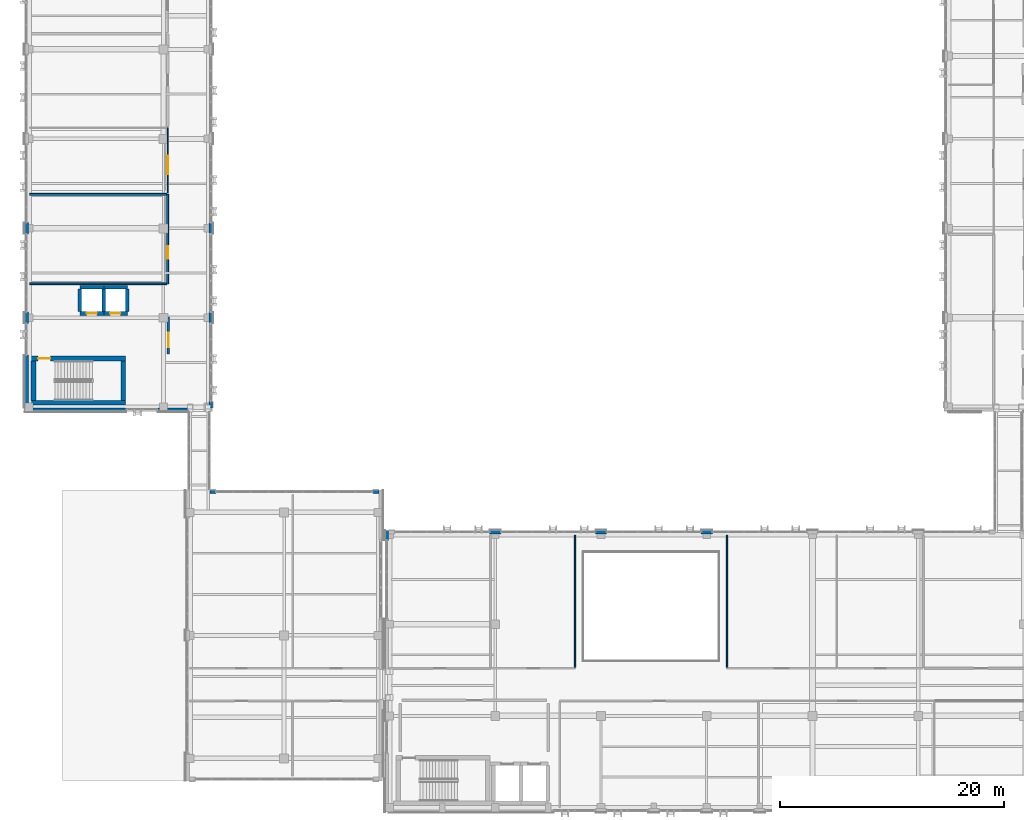
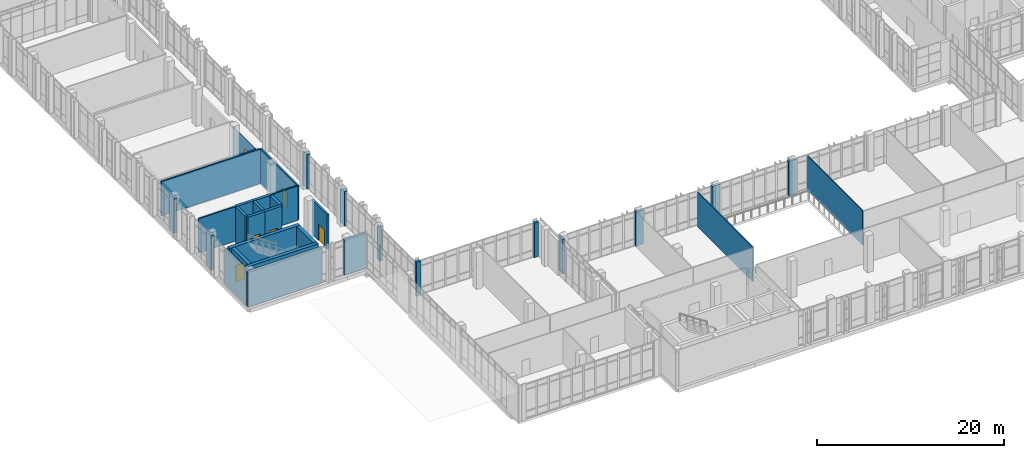
# One storey, part 152 of 189: 32 walls, 6 doors, 6 openings.
"""IFC4 building model written with IfcOpenShell, lengths in metres."""

from ifc_helpers import new_model, si_unit, direction, frame, frame_2d, origin, place, context, subcontext, project, spatial, rectangle, extrude, material, layer, layer_set, type_object, element, fill, save


model = new_model("IFC4")

# Units and contexts
model_context = context("Model", 3, precision=1e-05, world=origin(), true_north=direction((0.0, 1.0)))
body_context = subcontext(model_context, "Body", "Model", "MODEL_VIEW")
ifc_project = project(units=[si_unit("LENGTHUNIT", "METRE"), si_unit("AREAUNIT", "SQUARE_METRE"), si_unit("VOLUMEUNIT", "CUBIC_METRE"), si_unit("PLANEANGLEUNIT", "RADIAN"), si_unit("MASSUNIT", "GRAM", prefix="KILO")], contexts=[model_context])

# Site, building, storey
site_placement = place(None, origin())
site = spatial("IfcSite", under=ifc_project, at=site_placement, CompositionType="ELEMENT")
building_placement = place(site_placement, origin())
building = spatial("IfcBuilding", under=site, at=building_placement, Name="Qalavern Law Courts", CompositionType="ELEMENT")
storey_placement = place(building_placement, frame((0.0, 0.0, 5.39990234375)))
storey = spatial("IfcBuildingStorey", under=building, at=storey_placement, Name="L01", CompositionType="ELEMENT", Elevation=5.39990234375)

# Walls
ifc_material_1 = material(Name="Concrete C40/50", Category="concrete")
ifc_layer_1 = layer(ifc_material_1, 0.324951171875)
ifc_layer_set_1 = layer_set([ifc_layer_1], Name="Concrete C40/50")
wall_type_1 = type_object("IfcWallType", Name="ENV-EW-325", PredefinedType="SOLIDWALL", material=ifc_layer_set_1)
for number, where, z_axis, x_axis, name in (
    (1, (33.679931640625, 33.83740234375, 0.0), (0.0, 0.0, 1.0), (-1.0, 0.0, 0.0), "V1 exterior pier wall L01 north 1"),
    (2, (19.10009765625, 33.83740234375, 0.0), (0.0, 0.0, 1.0), (-1.0, 0.0, 0.0), "V1 exterior pier wall L01 north 2"),
):
    element("IfcWall", number, at=place(storey_placement, frame(where, z_axis=z_axis, x_axis=x_axis)), inside=storey, type_object=wall_type_1, Name=name, PredefinedType="SOLIDWALL", context=body_context, shape_type="SweptSolid", body=[
        extrude(rectangle(XDim=0.550048828125, YDim=0.324951171875, at=frame_2d((0.27490234375, 0.0))), origin(), (0.0, 0.0, 1.0), 4.510009765625),
    ])
for number, where, z_axis, x_axis, name in (
    (3, (63.48291015625, 30.237548828125, 0.0), (0.0, 0.0, 1.0), (-1.0, 0.0, 0.0), "V2 exterior pier wall L01 north 4"),
    (4, (54.028564453125, 30.237548828125, 0.0), (0.0, 0.0, 1.0), (-1.0, 0.0, 0.0), "V2 exterior pier wall L01 north 5"),
    (5, (44.57421875, 30.237548828125, 0.0), (0.0, 0.0, 1.0), (-1.0, 0.0, 0.0), "V2 exterior pier wall L01 north 6"),
):
    element("IfcWall", number, at=place(storey_placement, frame(where, z_axis=z_axis, x_axis=x_axis)), inside=storey, type_object=wall_type_1, Name=name, PredefinedType="SOLIDWALL", context=body_context, shape_type="SweptSolid", body=[
        extrude(rectangle(XDim=1.0, YDim=0.324951171875, at=frame_2d((0.5, 0.0))), origin(), (0.0, 0.0, 1.0), 4.510009765625),
    ])
wall_1_placement = place(storey_placement, frame((34.382568359375, 30.39990234375, 0.0), z_axis=(0.0, 0.0, 1.0), x_axis=(0.0, -1.0, 0.0)))
element("IfcWall", 6, at=wall_1_placement, inside=storey, type_object=wall_type_1, Name="V2 exterior pier wall L01 west 1", PredefinedType="SOLIDWALL", context=body_context, shape_type="SweptSolid", body=[
    extrude(rectangle(XDim=0.89990234375, YDim=0.324951171875, at=frame_2d((0.449951171875, 0.0))), origin(), (0.0, 0.0, 1.0), 4.510009765625),
])
wall_2_placement = place(storey_placement, frame((2.0, 41.1826171875, 0.0), z_axis=(0.0, 0.0, 1.0), x_axis=(1.0, 0.0, 0.0)))
element("IfcWall", 7, at=wall_2_placement, inside=storey, type_object=wall_type_1, Name="V3 exterior pier wall L01 south 1", PredefinedType="SOLIDWALL", context=body_context, shape_type="SweptSolid", body=[
    extrude(rectangle(XDim=9.10009765625, YDim=0.324951171875, at=frame_2d((4.550048828125, 0.0))), origin(), (0.0, 0.0, 1.0), 4.510009765625),
])
wall_3_placement = place(storey_placement, frame((13.89990234375, 41.1826171875, 0.0), z_axis=(0.0, 0.0, 1.0), x_axis=(1.0, 0.0, 0.0)))
element("IfcWall", 8, at=wall_3_placement, inside=storey, type_object=wall_type_1, Name="V3 exterior pier wall L01 south 2", PredefinedType="SOLIDWALL", context=body_context, shape_type="SweptSolid", body=[
    extrude(rectangle(XDim=2.75, YDim=0.324951171875, at=frame_2d((1.375, 0.0))), origin(), (0.0, 0.0, 1.0), 4.510009765625),
])
wall_4_placement = place(storey_placement, frame((18.637451171875, 41.340087890625, 0.0), z_axis=(0.0, 0.0, 1.0), x_axis=(0.0, 1.0, 0.0)))
element("IfcWall", 9, at=wall_4_placement, inside=storey, type_object=wall_type_1, Name="V3 exterior pier wall L01 east 1", PredefinedType="SOLIDWALL", context=body_context, shape_type="SweptSolid", body=[
    extrude(rectangle(XDim=0.579833984375, YDim=0.324951171875, at=frame_2d((0.2900390625, 0.0))), origin(), (0.0, 0.0, 1.0), 4.510009765625),
])
for number, where, z_axis, x_axis, name in (
    (10, (18.637451171875, 48.89990234375, 0.0), (0.0, 0.0, 1.0), (0.0, 1.0, 0.0), "V3 exterior pier wall L01 east 2"),
    (11, (18.637451171875, 56.89990234375, 0.0), (0.0, 0.0, 1.0), (0.0, 1.0, 0.0), "V3 exterior pier wall L01 east 3"),
    (12, (2.16259765625, 57.89990234375, 0.0), (0.0, 0.0, 1.0), (0.0, -1.0, 0.0), "V3 exterior pier wall L01 west 6"),
    (13, (2.16259765625, 49.89990234375, 0.0), (0.0, 0.0, 1.0), (0.0, -1.0, 0.0), "V3 exterior pier wall L01 west 7"),
):
    element("IfcWall", number, at=place(storey_placement, frame(where, z_axis=z_axis, x_axis=x_axis)), inside=storey, type_object=wall_type_1, Name=name, PredefinedType="SOLIDWALL", context=body_context, shape_type="SweptSolid", body=[
        extrude(rectangle(XDim=1.0, YDim=0.324951171875, at=frame_2d((0.5, 0.0))), origin(), (0.0, 0.0, 1.0), 4.510009765625),
    ])
wall_5_placement = place(storey_placement, frame((2.16259765625, 46.050048828125, 0.0), z_axis=(0.0, 0.0, 1.0), x_axis=(0.0, -1.0, 0.0)))
element("IfcWall", 14, at=wall_5_placement, inside=storey, type_object=wall_type_1, Name="V3 exterior pier wall L01 west 8", PredefinedType="SOLIDWALL", context=body_context, shape_type="SweptSolid", body=[
    extrude(rectangle(XDim=4.7099609375, YDim=0.324951171875, at=frame_2d((2.35498046875, 0.0))), origin(), (0.0, 0.0, 1.0), 4.510009765625),
])
ifc_material_2 = material(Name="Concrete C45/55", Category="concrete")
ifc_layer_2 = layer(ifc_material_2, 0.4150390625)
ifc_layer_set_2 = layer_set([ifc_layer_2], Name="Concrete C45/55")
wall_type_2 = type_object("IfcWallType", Name="INT-CW-415", PredefinedType="SHEAR", material=ifc_layer_set_2)
wall_6_placement = place(storey_placement, frame((2.327880859375, 41.79248046875, 0.0), z_axis=(0.0, 0.0, 1.0), x_axis=(1.0, 0.0, 0.0)))
element("IfcWall", 15, at=wall_6_placement, inside=storey, type_object=wall_type_2, Name="Core K2 stair shear wall L01 south", PredefinedType="SHEAR", context=body_context, shape_type="SweptSolid", body=[
    extrude(rectangle(XDim=8.68701171875, YDim=0.4150390625, at=frame_2d((4.343505859375, 0.0))), origin(), (0.0, 0.0, 1.0), 4.800048828125),
])
wall_7_placement = place(storey_placement, frame((10.8076171875, 42.0, 0.0), z_axis=(0.0, 0.0, 1.0), x_axis=(0.0, 1.0, 0.0)))
element("IfcWall", 16, at=wall_7_placement, inside=storey, type_object=wall_type_2, Name="Core K2 stair shear wall L01 east", PredefinedType="SHEAR", context=body_context, shape_type="SweptSolid", body=[
    extrude(rectangle(XDim=3.550048828125, YDim=0.4150390625, at=frame_2d((1.77490234375, 0.0))), origin(), (0.0, 0.0, 1.0), 4.800048828125),
])

# Wall, opening, door
wall_8_placement = place(storey_placement, frame((11.014892578125, 45.757568359375, 0.0), z_axis=(0.0, 0.0, 1.0), x_axis=(-1.0, 0.0, 0.0)))
wall_8 = element("IfcWall", 17, at=wall_8_placement, inside=storey, type_object=wall_type_2, Name="Core K2 stair shear wall L01 north", PredefinedType="SHEAR", context=body_context, shape_type="SweptSolid", body=[
    extrude(rectangle(XDim=8.68701171875, YDim=0.4150390625, at=frame_2d((4.343505859375, 0.0))), origin(), (0.0, 0.0, 1.0), 4.800048828125),
])
opening_1_placement = place(wall_8_placement, frame((6.715087890625, 0.0, 0.0)))
opening_1 = element("IfcOpeningElement", 18, at=opening_1_placement, cuts=wall_8, Name="Opening L01-D055", PredefinedType="OPENING", context=body_context, shape_type="SweptSolid", body=[
    extrude(rectangle(XDim=1.10009765625, YDim=2.14990234375, at=frame_2d((0.550048828125, 1.074951171875))), frame((0.0, 0.222412109375, 0.0), z_axis=(0.0, -1.0, 0.0), x_axis=(1.0, 0.0, 0.0)), (0.0, 0.0, 1.0), 0.44482421875),
])
ifc_material_3 = material(Name="Steel fire-rated stair enclosure door", Category="steel")
door_type_1 = type_object("IfcDoorType", Name="INT-FD-1100x2150", OperationType="NOTDEFINED", PredefinedType="DOOR", material=ifc_material_3)
door_1_placement = place(opening_1_placement, frame((1.10009765625, 0.0, 0.0), z_axis=(0.0, 0.0, 1.0), x_axis=(-1.0, 0.0, 0.0)))
door_1 = element("IfcDoor", 19, at=door_1_placement, inside=storey, type_object=door_type_1, Name="Stair K2 fire door L01", OperationType="SINGLE_SWING_RIGHT", OverallHeight=2.14990234375, OverallWidth=1.10009765625, PredefinedType="DOOR", context=body_context, shape_type="SweptSolid", body=[
    extrude(rectangle(XDim=1.10009765625, YDim=2.14990234375, at=frame_2d((0.550048828125, 1.074951171875))), frame((0.0, 0.02490234375, 0.0), z_axis=(0.0, -1.0, 0.0), x_axis=(1.0, 0.0, 0.0)), (0.0, 0.0, 1.0), 0.050048828125),
])
fill(opening_1, door_1)

# Wall
wall_9_placement = place(storey_placement, frame((2.79248046875, 45.550048828125, 0.0), z_axis=(0.0, 0.0, 1.0), x_axis=(0.0, -1.0, 0.0)))
element("IfcWall", 20, at=wall_9_placement, inside=storey, type_object=wall_type_2, Name="Core K2 stair shear wall L01 west", PredefinedType="SHEAR", context=body_context, shape_type="SweptSolid", body=[
    extrude(rectangle(XDim=3.550048828125, YDim=0.4150390625, at=frame_2d((1.77490234375, 0.0))), origin(), (0.0, 0.0, 1.0), 4.800048828125),
])

# Wall, opening, door
ifc_layer_3 = layer(ifc_material_1, 0.22509765625)
ifc_layer_set_3 = layer_set([ifc_layer_3], Name="Concrete C40/50")
wall_type_3 = type_object("IfcWallType", Name="INT-FW-225", PredefinedType="PARTITIONING", material=ifc_layer_set_3)
wall_10_placement = place(storey_placement, frame((14.85009765625, 46.14990234375, 0.0), z_axis=(0.0, 0.0, 1.0), x_axis=(0.0, 1.0, 0.0)))
wall_10 = element("IfcWall", 21, at=wall_10_placement, inside=storey, type_object=wall_type_3, Name="Core K2 firefighting/stair lobby fire wall L01", PredefinedType="PARTITIONING", context=body_context, shape_type="SweptSolid", body=[
    extrude(rectangle(XDim=3.300048828125, YDim=0.22509765625, at=frame_2d((1.64990234375, 0.0))), origin(), (0.0, 0.0, 1.0), 4.510009765625),
])
opening_2_placement = place(wall_10_placement, frame((0.60009765625, 0.0, 0.0)))
opening_2 = element("IfcOpeningElement", 22, at=opening_2_placement, cuts=wall_10, Name="Opening L01-D056", PredefinedType="OPENING", context=body_context, shape_type="SweptSolid", body=[
    extrude(rectangle(XDim=1.300048828125, YDim=2.14990234375, at=frame_2d((0.64990234375, 1.074951171875))), frame((0.0, 0.12744140625, 0.0), z_axis=(0.0, -1.0, 0.0), x_axis=(1.0, 0.0, 0.0)), (0.0, 0.0, 1.0), 0.2548828125),
])
ifc_material_4 = material(Name="Steel fire-rated frame and acoustic timber leaves", Category="steel")
door_type_2 = type_object("IfcDoorType", Name="INT-FD-1300x2150", OperationType="DOUBLE_DOOR_SINGLE_SWING", PredefinedType="DOOR", material=ifc_material_4)
door_2_placement = place(opening_2_placement, origin())
door_2 = element("IfcDoor", 23, at=door_2_placement, inside=storey, type_object=door_type_2, Name="Core K2 lobby fire door L01", OperationType="DOUBLE_DOOR_SINGLE_SWING", OverallHeight=2.14990234375, OverallWidth=1.300048828125, PredefinedType="DOOR", context=body_context, shape_type="SweptSolid", body=[
    extrude(rectangle(XDim=1.300048828125, YDim=2.14990234375, at=frame_2d((0.64990234375, 1.074951171875))), frame((0.0, 0.02490234375, 0.0), z_axis=(0.0, -1.0, 0.0), x_axis=(1.0, 0.0, 0.0)), (0.0, 0.0, 1.0), 0.050048828125),
])
fill(opening_2, door_2)

ifc_material_5 = material(Name="Gypsum shaft/chase partition")
ifc_layer_4 = layer(ifc_material_5, 0.092041015625)
ifc_layer_set_4 = layer_set([ifc_layer_4], Name="Gypsum shaft/chase partition")
wall_type_4 = type_object("IfcWallType", Name="INT-PW-092", PredefinedType="PARTITIONING", material=ifc_layer_set_4)
wall_11_placement = place(storey_placement, frame((14.7900390625, 60.55810546875, 0.0), z_axis=(0.0, 0.0, 1.0), x_axis=(0.0, 1.0, 0.0)))
wall_11 = element("IfcWall", 24, at=wall_11_placement, inside=storey, type_object=wall_type_4, Name="Criminal Courtroom corridor partition L01", PredefinedType="PARTITIONING", context=body_context, shape_type="SweptSolid", body=[
    extrude(rectangle(XDim=5.81591796875, YDim=0.092041015625, at=frame_2d((2.907958984375, 0.0))), origin(), (0.0, 0.0, 1.0), 3.739990234375),
])
opening_3_placement = place(wall_11_placement, frame((1.68310546875, 0.0, 0.0)))
opening_3 = element("IfcOpeningElement", 25, at=opening_3_placement, cuts=wall_11, Name="Opening L01-D211", PredefinedType="OPENING", context=body_context, shape_type="SweptSolid", body=[
    extrude(rectangle(XDim=1.64990234375, YDim=2.35009765625, at=frame_2d((0.824951171875, 1.175048828125))), frame((0.0, 0.06103515625, 0.0), z_axis=(0.0, -1.0, 0.0), x_axis=(1.0, 0.0, 0.0)), (0.0, 0.0, 1.0), 0.121826171875),
])
ifc_material_6 = material(Name="Acoustic oak double Ceremonial Courtroom door")
door_type_3 = type_object("IfcDoorType", Name="INT-ID-1650x2350", OperationType="DOUBLE_DOOR_SINGLE_SWING", PredefinedType="DOOR", material=ifc_material_6)
door_3_placement = place(opening_3_placement, frame((1.64990234375, 0.0, 0.0), z_axis=(0.0, 0.0, 1.0), x_axis=(-1.0, 0.0, 0.0)))
door_3 = element("IfcDoor", 26, at=door_3_placement, inside=storey, type_object=door_type_3, Name="Criminal Courtroom door L01", OperationType="DOUBLE_DOOR_SINGLE_SWING", OverallHeight=2.35009765625, OverallWidth=1.64990234375, PredefinedType="DOOR", context=body_context, shape_type="SweptSolid", body=[
    extrude(rectangle(XDim=1.64990234375, YDim=2.35009765625, at=frame_2d((0.824951171875, 1.175048828125))), frame((0.0, 0.02490234375, 0.0), z_axis=(0.0, -1.0, 0.0), x_axis=(1.0, 0.0, 0.0)), (0.0, 0.0, 1.0), 0.050048828125),
])
fill(opening_3, door_3)

# Walls
ifc_material_7 = material(Name="Gypsum sanitary partition")
ifc_layer_5 = layer(ifc_material_7, 0.10205078125)
ifc_layer_set_5 = layer_set([ifc_layer_5], Name="Gypsum sanitary partition")
wall_type_5 = type_object("IfcWallType", Name="INT-PW-102", PredefinedType="PARTITIONING", material=ifc_layer_set_5)
wall_12_placement = place(storey_placement, frame((64.7900390625, 18.131103515625, 0.0), z_axis=(0.0, 0.0, 1.0), x_axis=(0.0, 1.0, 0.0)))
element("IfcWall", 27, at=wall_12_placement, inside=storey, type_object=wall_type_5, Name="Witness Waiting Room cross partition L01 west", PredefinedType="PARTITIONING", context=body_context, shape_type="SweptSolid", body=[
    extrude(rectangle(XDim=11.828857421875, YDim=0.10205078125, at=frame_2d((5.91455078125, 0.0))), origin(), (0.0, 0.0, 1.0), 4.510009765625),
])
ifc_material_8 = material(Name="Gypsum stud partition")
ifc_layer_6 = layer(ifc_material_8, 0.1220703125)
ifc_layer_set_6 = layer_set([ifc_layer_6], Name="Gypsum stud partition")
wall_type_6 = type_object("IfcWallType", Name="INT-PW-122", PredefinedType="PARTITIONING", material=ifc_layer_set_6)
wall_13_placement = place(storey_placement, frame((51.2099609375, 18.14111328125, 0.0), z_axis=(0.0, 0.0, 1.0), x_axis=(0.0, 1.0, 0.0)))
element("IfcWall", 28, at=wall_13_placement, inside=storey, type_object=wall_type_6, Name="Witness Waiting Room cross partition L01 east", PredefinedType="PARTITIONING", context=body_context, shape_type="SweptSolid", body=[
    extrude(rectangle(XDim=11.81884765625, YDim=0.1220703125, at=frame_2d((5.909423828125, 0.0))), origin(), (0.0, 0.0, 1.0), 4.510009765625),
])

# Wall, opening, door
ifc_material_9 = material(Name="Gypsum acoustic stud partition")
ifc_layer_7 = layer(ifc_material_9, 0.174072265625)
ifc_layer_set_7 = layer_set([ifc_layer_7], Name="Gypsum acoustic stud partition")
wall_type_7 = type_object("IfcWallType", Name="INT-PW-174", PredefinedType="PARTITIONING", material=ifc_layer_set_7)
wall_14_placement = place(storey_placement, frame((14.7900390625, 52.43994140625, 0.0), z_axis=(0.0, 0.0, 1.0), x_axis=(0.0, 1.0, 0.0)))
wall_14 = element("IfcWall", 29, at=wall_14_placement, inside=storey, type_object=wall_type_7, Name="Criminal Courtroom corridor partition L01", PredefinedType="PARTITIONING", context=body_context, shape_type="SweptSolid", body=[
    extrude(rectangle(XDim=7.998046875, YDim=0.174072265625, at=frame_2d((3.9990234375, 0.0))), origin(), (0.0, 0.0, 1.0), 4.510009765625),
])
opening_4_placement = place(wall_14_placement, frame((2.22412109375, 0.0, 0.0)))
opening_4 = element("IfcOpeningElement", 30, at=opening_4_placement, cuts=wall_14, Name="Opening L01-D210", PredefinedType="OPENING", context=body_context, shape_type="SweptSolid", body=[
    extrude(rectangle(XDim=1.14990234375, YDim=2.14990234375, at=frame_2d((0.574951171875, 1.074951171875))), frame((0.0, 0.10205078125, 0.0), z_axis=(0.0, -1.0, 0.0), x_axis=(1.0, 0.0, 0.0)), (0.0, 0.0, 1.0), 0.203857421875),
])
ifc_material_10 = material(Name="Acoustic oak Witness Waiting door")
door_type_4 = type_object("IfcDoorType", Name="INT-ID-1150x2150", OperationType="NOTDEFINED", PredefinedType="DOOR", material=ifc_material_10)
door_4_placement = place(opening_4_placement, frame((1.14990234375, 0.0, 0.0), z_axis=(0.0, 0.0, 1.0), x_axis=(-1.0, 0.0, 0.0)))
door_4 = element("IfcDoor", 31, at=door_4_placement, inside=storey, type_object=door_type_4, Name="Criminal Courtroom door L01", OperationType="SINGLE_SWING_LEFT", OverallHeight=2.14990234375, OverallWidth=1.14990234375, PredefinedType="DOOR", context=body_context, shape_type="SweptSolid", body=[
    extrude(rectangle(XDim=1.14990234375, YDim=2.14990234375, at=frame_2d((0.574951171875, 1.074951171875))), frame((0.0, 0.02490234375, 0.0), z_axis=(0.0, -1.0, 0.0), x_axis=(1.0, 0.0, 0.0)), (0.0, 0.0, 1.0), 0.050048828125),
])
fill(opening_4, door_4)

# Walls
for number, where, z_axis, x_axis, name in (
    (32, (2.43994140625, 52.43994140625, 0.0), (0.0, 0.0, 1.0), (1.0, 0.0, 0.0), "Criminal Courtroom cross partition L01 south"),
    (33, (2.43994140625, 60.43798828125, 0.0), (0.0, 0.0, 1.0), (1.0, 0.0, 0.0), "Criminal Courtroom cross partition L01 north"),
):
    element("IfcWall", number, at=place(storey_placement, frame(where, z_axis=z_axis, x_axis=x_axis)), inside=storey, type_object=wall_type_7, Name=name, PredefinedType="PARTITIONING", context=body_context, shape_type="SweptSolid", body=[
        extrude(rectangle(XDim=12.2431640625, YDim=0.174072265625, at=frame_2d((6.12158203125, 0.0))), origin(), (0.0, 0.0, 1.0), 4.510009765625),
    ])

# Wall, opening, door
ifc_layer_8 = layer(ifc_material_2, 0.344970703125)
ifc_layer_set_8 = layer_set([ifc_layer_8], Name="Concrete C45/55")
wall_type_8 = type_object("IfcWallType", Name="INT-SW-345", PredefinedType="SHEAR", material=ifc_layer_set_8)
wall_15_placement = place(storey_placement, frame((6.927490234375, 49.777587890625, 0.0), z_axis=(0.0, 0.0, 1.0), x_axis=(1.0, 0.0, 0.0)))
wall_15 = element("IfcWall", 34, at=wall_15_placement, inside=storey, type_object=wall_type_8, Name="Lift LF-C1 shaft wall L01 south", PredefinedType="SHEAR", context=body_context, shape_type="SweptSolid", body=[
    extrude(rectangle(XDim=2.14501953125, YDim=0.344970703125, at=frame_2d((1.072509765625, 0.0))), origin(), (0.0, 0.0, 1.0), 4.800048828125),
])
opening_5_placement = place(wall_15_placement, frame((0.612548828125, 0.0, 0.0)))
opening_5 = element("IfcOpeningElement", 35, at=opening_5_placement, cuts=wall_15, Name="Opening LD-LF-C1-L01", PredefinedType="OPENING", context=body_context, shape_type="SweptSolid", body=[
    extrude(rectangle(XDim=0.919921875, YDim=2.10009765625, at=frame_2d((0.4599609375, 1.050048828125))), frame((0.0, 0.1875, 0.0), z_axis=(0.0, -1.0, 0.0), x_axis=(1.0, 0.0, 0.0)), (0.0, 0.0, 1.0), 0.374755859375),
])
ifc_material_11 = material(Name="Heavy-gauge steel custody lift sliding landing door", Category="steel")
door_type_5 = type_object("IfcDoorType", Name="INT-LD-920x2100", OperationType="SLIDING_TO_LEFT", PredefinedType="DOOR", material=ifc_material_11)
door_5_placement = place(opening_5_placement, origin())
door_5 = element("IfcDoor", 36, at=door_5_placement, inside=storey, type_object=door_type_5, Name="Lift LF-C1 sliding landing door L01", OperationType="SLIDING_TO_LEFT", OverallHeight=2.10009765625, OverallWidth=0.919921875, PredefinedType="DOOR", context=body_context, shape_type="SweptSolid", body=[
    extrude(rectangle(XDim=0.919921875, YDim=2.10009765625, at=frame_2d((0.4599609375, 1.050048828125))), frame((0.0, 0.02490234375, 0.0), z_axis=(0.0, -1.0, 0.0), x_axis=(1.0, 0.0, 0.0)), (0.0, 0.0, 1.0), 0.050048828125),
])
fill(opening_5, door_5)

# Walls
wall_16_placement = place(storey_placement, frame((9.072509765625, 49.949951171875, 0.0), z_axis=(0.0, 0.0, 1.0), x_axis=(0.0, 1.0, 0.0)))
element("IfcWall", 37, at=wall_16_placement, inside=storey, type_object=wall_type_8, Name="Lift LF-C1 shaft wall L01 east", PredefinedType="SHEAR", context=body_context, shape_type="SweptSolid", body=[
    extrude(rectangle(XDim=2.0, YDim=0.344970703125, at=frame_2d((1.0, 0.0))), origin(), (0.0, 0.0, 1.0), 4.800048828125),
])
wall_17_placement = place(storey_placement, frame((9.072509765625, 52.12255859375, 0.0), z_axis=(0.0, 0.0, 1.0), x_axis=(-1.0, 0.0, 0.0)))
element("IfcWall", 38, at=wall_17_placement, inside=storey, type_object=wall_type_8, Name="Lift LF-C1 shaft wall L01 north", PredefinedType="SHEAR", context=body_context, shape_type="SweptSolid", body=[
    extrude(rectangle(XDim=2.14501953125, YDim=0.344970703125, at=frame_2d((1.072509765625, 0.0))), origin(), (0.0, 0.0, 1.0), 4.800048828125),
])
wall_18_placement = place(storey_placement, frame((6.927490234375, 51.949951171875, 0.0), z_axis=(0.0, 0.0, 1.0), x_axis=(0.0, -1.0, 0.0)))
element("IfcWall", 39, at=wall_18_placement, inside=storey, type_object=wall_type_8, Name="Lift LF-C1 shaft wall L01 west", PredefinedType="SHEAR", context=body_context, shape_type="SweptSolid", body=[
    extrude(rectangle(XDim=2.0, YDim=0.344970703125, at=frame_2d((1.0, 0.0))), origin(), (0.0, 0.0, 1.0), 4.800048828125),
])

# Wall, opening, door
wall_19_placement = place(storey_placement, frame((9.027587890625, 49.777587890625, 0.0), z_axis=(0.0, 0.0, 1.0), x_axis=(1.0, 0.0, 0.0)))
wall_19 = element("IfcWall", 40, at=wall_19_placement, inside=storey, type_object=wall_type_8, Name="Lift LF-C2 shaft wall L01 south", PredefinedType="SHEAR", context=body_context, shape_type="SweptSolid", body=[
    extrude(rectangle(XDim=2.14501953125, YDim=0.344970703125, at=frame_2d((1.072509765625, 0.0))), origin(), (0.0, 0.0, 1.0), 4.800048828125),
])
opening_6_placement = place(wall_19_placement, frame((0.612548828125, 0.0, 0.0)))
opening_6 = element("IfcOpeningElement", 41, at=opening_6_placement, cuts=wall_19, Name="Opening LD-LF-C2-L01", PredefinedType="OPENING", context=body_context, shape_type="SweptSolid", body=[
    extrude(rectangle(XDim=0.919921875, YDim=2.10009765625, at=frame_2d((0.4599609375, 1.050048828125))), frame((0.0, 0.1875, 0.0), z_axis=(0.0, -1.0, 0.0), x_axis=(1.0, 0.0, 0.0)), (0.0, 0.0, 1.0), 0.374755859375),
])
door_6_placement = place(opening_6_placement, origin())
door_6 = element("IfcDoor", 42, at=door_6_placement, inside=storey, type_object=door_type_5, Name="Lift LF-C2 sliding landing door L01", OperationType="SLIDING_TO_LEFT", OverallHeight=2.10009765625, OverallWidth=0.919921875, PredefinedType="DOOR", context=body_context, shape_type="SweptSolid", body=[
    extrude(rectangle(XDim=0.919921875, YDim=2.10009765625, at=frame_2d((0.4599609375, 1.050048828125))), frame((0.0, 0.02490234375, 0.0), z_axis=(0.0, -1.0, 0.0), x_axis=(1.0, 0.0, 0.0)), (0.0, 0.0, 1.0), 0.050048828125),
])
fill(opening_6, door_6)

# Walls
wall_20_placement = place(storey_placement, frame((11.172607421875, 49.949951171875, 0.0), z_axis=(0.0, 0.0, 1.0), x_axis=(0.0, 1.0, 0.0)))
element("IfcWall", 43, at=wall_20_placement, inside=storey, type_object=wall_type_8, Name="Lift LF-C2 shaft wall L01 east", PredefinedType="SHEAR", context=body_context, shape_type="SweptSolid", body=[
    extrude(rectangle(XDim=2.0, YDim=0.344970703125, at=frame_2d((1.0, 0.0))), origin(), (0.0, 0.0, 1.0), 4.800048828125),
])
wall_21_placement = place(storey_placement, frame((11.172607421875, 52.12255859375, 0.0), z_axis=(0.0, 0.0, 1.0), x_axis=(-1.0, 0.0, 0.0)))
element("IfcWall", 44, at=wall_21_placement, inside=storey, type_object=wall_type_8, Name="Lift LF-C2 shaft wall L01 north", PredefinedType="SHEAR", context=body_context, shape_type="SweptSolid", body=[
    extrude(rectangle(XDim=2.14501953125, YDim=0.344970703125, at=frame_2d((1.072509765625, 0.0))), origin(), (0.0, 0.0, 1.0), 4.800048828125),
])

save(model, "model.ifc")
